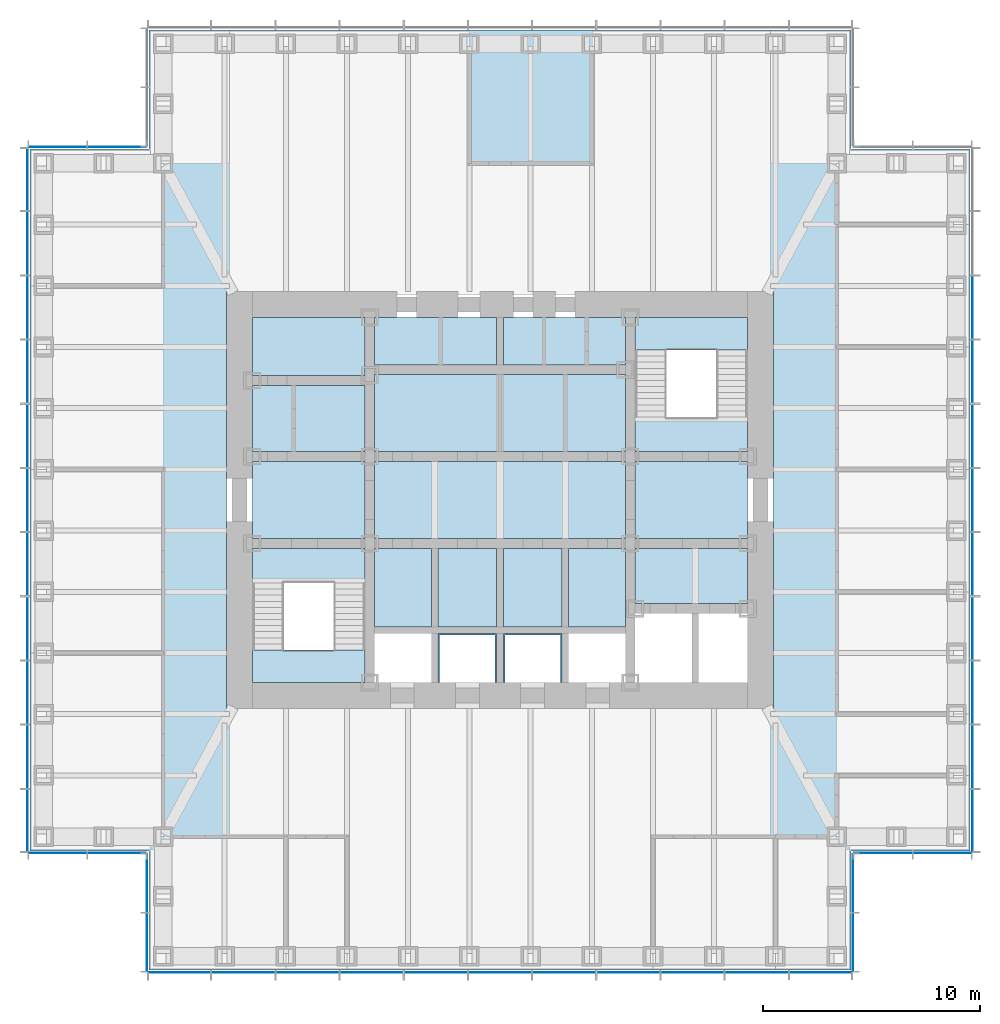
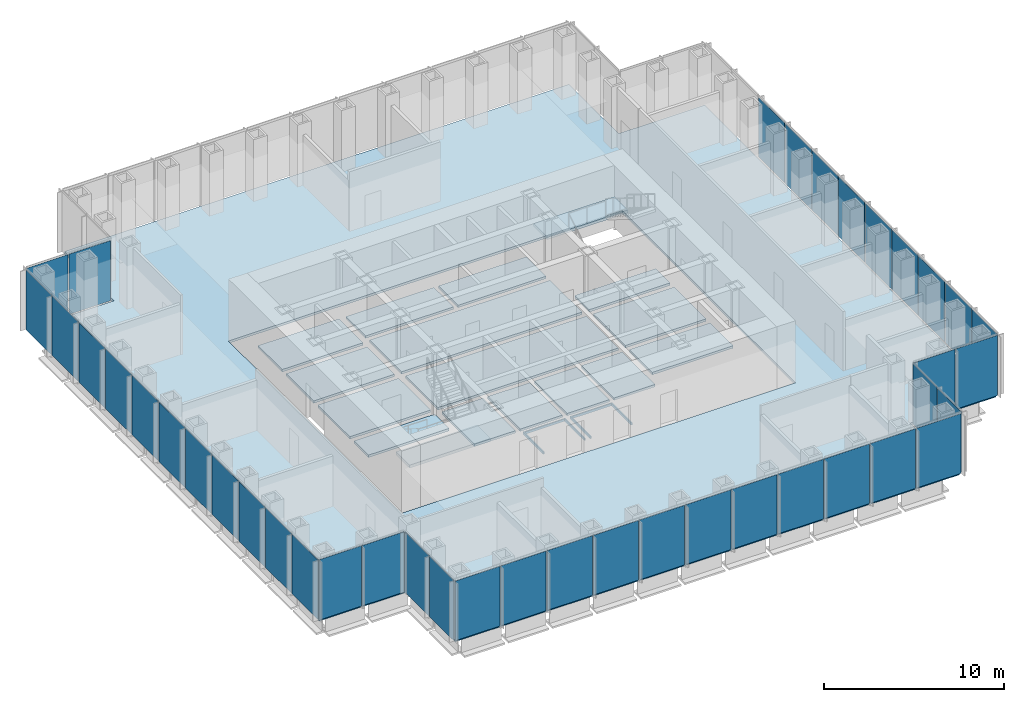
# One storey, part 7 of 16: 41 plates, 20 slabs, 10 elements without a shape of their own.
"""IFC4 building model written with IfcOpenShell, lengths in metres."""

from ifc_helpers import new_model, si_unit, direction, frame, origin, origin_2d, place, context, subcontext, project, spatial, polyline, rectangle, outline, extrude, material, layer, layer_set, type_object, element, aggregate, save


model = new_model("IFC4")

# Units and contexts
model_context = context("Model", 3, precision=1e-05, world=origin(), true_north=direction((0.0, 1.0)))
body_context = subcontext(model_context, "Body", "Model", "MODEL_VIEW")
ifc_project = project(units=[si_unit("LENGTHUNIT", "METRE"), si_unit("AREAUNIT", "SQUARE_METRE"), si_unit("VOLUMEUNIT", "CUBIC_METRE"), si_unit("PLANEANGLEUNIT", "RADIAN"), si_unit("MASSUNIT", "GRAM", prefix="KILO")], contexts=[model_context])

# Site, building, storey
site_placement = place(None, origin())
site = spatial("IfcSite", under=ifc_project, at=site_placement, CompositionType="ELEMENT")
building_placement = place(site_placement, origin())
building = spatial("IfcBuilding", under=site, at=building_placement, Name="Daluyong Arena Tower", CompositionType="ELEMENT")
storey_placement = place(building_placement, frame((0.0, 0.0, 202.300048828125)))
storey = spatial("IfcBuildingStorey", under=building, at=storey_placement, Name="L45", CompositionType="ELEMENT", Elevation=202.300048828125)

# Curtain wall, plates
ifc_material_1 = material(Name="Bronze anodised aluminium and glass", Category="aluminium")
curtain_wall_type_1 = type_object("IfcCurtainWallType", Name="Curtain wall CW3", PredefinedType="USERDEFINED", material=ifc_material_1)
curtain_wall_1_placement = place(storey_placement, origin())
curtain_wall_1 = element("IfcCurtainWall", 1, at=curtain_wall_1_placement, inside=storey, type_object=curtain_wall_type_1, Name="curtain wall L45 S", ObjectType="UNITISED CURTAIN WALL", PredefinedType="USERDEFINED")
ifc_material_2 = material(Name="Tinted double glazed unit", Category="glass")
ifc_layer_1 = layer(ifc_material_2, 0.030029296875)
ifc_layer_set_1 = layer_set([ifc_layer_1], Name="Tinted double glazed unit")
plate_type_1 = type_object("IfcPlateType", Name="CW3 panel 30", PredefinedType="CURTAIN_PANEL", material=ifc_layer_set_1)
plate_1_placement = place(storey_placement, frame((41.244873046875, 58.25, 0.0), z_axis=(0.0, 0.0, 1.0), x_axis=(1.0, 0.0, 0.0)))
plate_1 = element("IfcPlate", 2, at=plate_1_placement, type_object=plate_type_1, Name="curtain wall L45 S panel 1", PredefinedType="CURTAIN_PANEL", context=body_context, shape_type="SweptSolid", body=[
    extrude(rectangle(XDim=2.849609375, YDim=0.030029296875, at=origin_2d()), origin(), (0.0, 0.0, 1.0), 4.0400390625),
])
plate_2_placement = place(storey_placement, frame((44.181884765625, 58.25, 0.0), z_axis=(0.0, 0.0, 1.0), x_axis=(1.0, 0.0, 0.0)))
plate_2 = element("IfcPlate", 3, at=plate_2_placement, type_object=plate_type_1, Name="curtain wall L45 S panel 2", PredefinedType="CURTAIN_PANEL", context=body_context, shape_type="SweptSolid", body=[
    extrude(rectangle(XDim=2.884521484375, YDim=0.030029296875, at=origin_2d()), origin(), (0.0, 0.0, 1.0), 4.0400390625),
])
plate_3_placement = place(storey_placement, frame((47.136474609375, 58.25, 0.0), z_axis=(0.0, 0.0, 1.0), x_axis=(1.0, 0.0, 0.0)))
plate_3 = element("IfcPlate", 4, at=plate_3_placement, type_object=plate_type_1, Name="curtain wall L45 S panel 3", PredefinedType="CURTAIN_PANEL", context=body_context, shape_type="SweptSolid", body=[
    extrude(rectangle(XDim=2.884521484375, YDim=0.030029296875, at=origin_2d()), origin(), (0.0, 0.0, 1.0), 4.0400390625),
])
plate_4_placement = place(storey_placement, frame((50.0908203125, 58.25, 0.0), z_axis=(0.0, 0.0, 1.0), x_axis=(1.0, 0.0, 0.0)))
plate_4 = element("IfcPlate", 5, at=plate_4_placement, type_object=plate_type_1, Name="curtain wall L45 S panel 4", PredefinedType="CURTAIN_PANEL", context=body_context, shape_type="SweptSolid", body=[
    extrude(rectangle(XDim=2.884521484375, YDim=0.030029296875, at=origin_2d()), origin(), (0.0, 0.0, 1.0), 4.0400390625),
])
plate_5_placement = place(storey_placement, frame((53.04541015625, 58.25, 0.0), z_axis=(0.0, 0.0, 1.0), x_axis=(1.0, 0.0, 0.0)))
plate_5 = element("IfcPlate", 6, at=plate_5_placement, type_object=plate_type_1, Name="curtain wall L45 S panel 5", PredefinedType="CURTAIN_PANEL", context=body_context, shape_type="SweptSolid", body=[
    extrude(rectangle(XDim=2.884521484375, YDim=0.030029296875, at=origin_2d()), origin(), (0.0, 0.0, 1.0), 4.0400390625),
])
plate_6_placement = place(storey_placement, frame((56.0, 58.25, 0.0), z_axis=(0.0, 0.0, 1.0), x_axis=(1.0, 0.0, 0.0)))
plate_6 = element("IfcPlate", 7, at=plate_6_placement, type_object=plate_type_1, Name="curtain wall L45 S panel 6", PredefinedType="CURTAIN_PANEL", context=body_context, shape_type="SweptSolid", body=[
    extrude(rectangle(XDim=2.884521484375, YDim=0.030029296875, at=origin_2d()), origin(), (0.0, 0.0, 1.0), 4.0400390625),
])
plate_7_placement = place(storey_placement, frame((58.95458984375, 58.25, 0.0), z_axis=(0.0, 0.0, 1.0), x_axis=(1.0, 0.0, 0.0)))
plate_7 = element("IfcPlate", 8, at=plate_7_placement, type_object=plate_type_1, Name="curtain wall L45 S panel 7", PredefinedType="CURTAIN_PANEL", context=body_context, shape_type="SweptSolid", body=[
    extrude(rectangle(XDim=2.884521484375, YDim=0.030029296875, at=origin_2d()), origin(), (0.0, 0.0, 1.0), 4.0400390625),
])
plate_8_placement = place(storey_placement, frame((61.9091796875, 58.25, 0.0), z_axis=(0.0, 0.0, 1.0), x_axis=(1.0, 0.0, 0.0)))
plate_8 = element("IfcPlate", 9, at=plate_8_placement, type_object=plate_type_1, Name="curtain wall L45 S panel 8", PredefinedType="CURTAIN_PANEL", context=body_context, shape_type="SweptSolid", body=[
    extrude(rectangle(XDim=2.884521484375, YDim=0.030029296875, at=origin_2d()), origin(), (0.0, 0.0, 1.0), 4.0400390625),
])
plate_9_placement = place(storey_placement, frame((64.863525390625, 58.25, 0.0), z_axis=(0.0, 0.0, 1.0), x_axis=(1.0, 0.0, 0.0)))
plate_9 = element("IfcPlate", 10, at=plate_9_placement, type_object=plate_type_1, Name="curtain wall L45 S panel 9", PredefinedType="CURTAIN_PANEL", context=body_context, shape_type="SweptSolid", body=[
    extrude(rectangle(XDim=2.884521484375, YDim=0.030029296875, at=origin_2d()), origin(), (0.0, 0.0, 1.0), 4.0400390625),
])
plate_10_placement = place(storey_placement, frame((67.818115234375, 58.25, 0.0), z_axis=(0.0, 0.0, 1.0), x_axis=(1.0, 0.0, 0.0)))
plate_10 = element("IfcPlate", 11, at=plate_10_placement, type_object=plate_type_1, Name="curtain wall L45 S panel 10", PredefinedType="CURTAIN_PANEL", context=body_context, shape_type="SweptSolid", body=[
    extrude(rectangle(XDim=2.884521484375, YDim=0.030029296875, at=origin_2d()), origin(), (0.0, 0.0, 1.0), 4.0400390625),
])
plate_11_placement = place(storey_placement, frame((70.755126953125, 58.25, 0.0), z_axis=(0.0, 0.0, 1.0), x_axis=(1.0, 0.0, 0.0)))
plate_11 = element("IfcPlate", 12, at=plate_11_placement, type_object=plate_type_1, Name="curtain wall L45 S panel 11", PredefinedType="CURTAIN_PANEL", context=body_context, shape_type="SweptSolid", body=[
    extrude(rectangle(XDim=2.849609375, YDim=0.030029296875, at=origin_2d()), origin(), (0.0, 0.0, 1.0), 4.0400390625),
])
aggregate(curtain_wall_1, [plate_1, plate_2, plate_3, plate_4, plate_5, plate_6, plate_7, plate_8, plate_9, plate_10, plate_11])

curtain_wall_2_placement = place(storey_placement, origin())
curtain_wall_2 = element("IfcCurtainWall", 13, at=curtain_wall_2_placement, inside=storey, type_object=curtain_wall_type_1, Name="curtain wall L45 E", ObjectType="UNITISED CURTAIN WALL", PredefinedType="USERDEFINED")
plate_12_placement = place(storey_placement, frame((77.75, 65.244873046875, 0.0), z_axis=(0.0, 0.0, 1.0), x_axis=(0.0, 1.0, 0.0)))
plate_12 = element("IfcPlate", 14, at=plate_12_placement, type_object=plate_type_1, Name="curtain wall L45 E panel 1", PredefinedType="CURTAIN_PANEL", context=body_context, shape_type="SweptSolid", body=[
    extrude(rectangle(XDim=2.849609375, YDim=0.030029296875, at=origin_2d()), origin(), (0.0, 0.0, 1.0), 4.0400390625),
])
plate_13_placement = place(storey_placement, frame((77.75, 68.181884765625, 0.0), z_axis=(0.0, 0.0, 1.0), x_axis=(0.0, 1.0, 0.0)))
plate_13 = element("IfcPlate", 15, at=plate_13_placement, type_object=plate_type_1, Name="curtain wall L45 E panel 2", PredefinedType="CURTAIN_PANEL", context=body_context, shape_type="SweptSolid", body=[
    extrude(rectangle(XDim=2.884521484375, YDim=0.030029296875, at=origin_2d()), origin(), (0.0, 0.0, 1.0), 4.0400390625),
])
plate_14_placement = place(storey_placement, frame((77.75, 71.136474609375, 0.0), z_axis=(0.0, 0.0, 1.0), x_axis=(0.0, 1.0, 0.0)))
plate_14 = element("IfcPlate", 16, at=plate_14_placement, type_object=plate_type_1, Name="curtain wall L45 E panel 3", PredefinedType="CURTAIN_PANEL", context=body_context, shape_type="SweptSolid", body=[
    extrude(rectangle(XDim=2.884521484375, YDim=0.030029296875, at=origin_2d()), origin(), (0.0, 0.0, 1.0), 4.0400390625),
])
plate_15_placement = place(storey_placement, frame((77.75, 74.0908203125, 0.0), z_axis=(0.0, 0.0, 1.0), x_axis=(0.0, 1.0, 0.0)))
plate_15 = element("IfcPlate", 17, at=plate_15_placement, type_object=plate_type_1, Name="curtain wall L45 E panel 4", PredefinedType="CURTAIN_PANEL", context=body_context, shape_type="SweptSolid", body=[
    extrude(rectangle(XDim=2.884521484375, YDim=0.030029296875, at=origin_2d()), origin(), (0.0, 0.0, 1.0), 4.0400390625),
])
plate_16_placement = place(storey_placement, frame((77.75, 77.04541015625, 0.0), z_axis=(0.0, 0.0, 1.0), x_axis=(0.0, 1.0, 0.0)))
plate_16 = element("IfcPlate", 18, at=plate_16_placement, type_object=plate_type_1, Name="curtain wall L45 E panel 5", PredefinedType="CURTAIN_PANEL", context=body_context, shape_type="SweptSolid", body=[
    extrude(rectangle(XDim=2.884521484375, YDim=0.030029296875, at=origin_2d()), origin(), (0.0, 0.0, 1.0), 4.0400390625),
])
plate_17_placement = place(storey_placement, frame((77.75, 80.0, 0.0), z_axis=(0.0, 0.0, 1.0), x_axis=(0.0, 1.0, 0.0)))
plate_17 = element("IfcPlate", 19, at=plate_17_placement, type_object=plate_type_1, Name="curtain wall L45 E panel 6", PredefinedType="CURTAIN_PANEL", context=body_context, shape_type="SweptSolid", body=[
    extrude(rectangle(XDim=2.884521484375, YDim=0.030029296875, at=origin_2d()), origin(), (0.0, 0.0, 1.0), 4.0400390625),
])
plate_18_placement = place(storey_placement, frame((77.75, 82.95458984375, 0.0), z_axis=(0.0, 0.0, 1.0), x_axis=(0.0, 1.0, 0.0)))
plate_18 = element("IfcPlate", 20, at=plate_18_placement, type_object=plate_type_1, Name="curtain wall L45 E panel 7", PredefinedType="CURTAIN_PANEL", context=body_context, shape_type="SweptSolid", body=[
    extrude(rectangle(XDim=2.884521484375, YDim=0.030029296875, at=origin_2d()), origin(), (0.0, 0.0, 1.0), 4.0400390625),
])
plate_19_placement = place(storey_placement, frame((77.75, 85.9091796875, 0.0), z_axis=(0.0, 0.0, 1.0), x_axis=(0.0, 1.0, 0.0)))
plate_19 = element("IfcPlate", 21, at=plate_19_placement, type_object=plate_type_1, Name="curtain wall L45 E panel 8", PredefinedType="CURTAIN_PANEL", context=body_context, shape_type="SweptSolid", body=[
    extrude(rectangle(XDim=2.884521484375, YDim=0.030029296875, at=origin_2d()), origin(), (0.0, 0.0, 1.0), 4.0400390625),
])
plate_20_placement = place(storey_placement, frame((77.75, 88.863525390625, 0.0), z_axis=(0.0, 0.0, 1.0), x_axis=(0.0, 1.0, 0.0)))
plate_20 = element("IfcPlate", 22, at=plate_20_placement, type_object=plate_type_1, Name="curtain wall L45 E panel 9", PredefinedType="CURTAIN_PANEL", context=body_context, shape_type="SweptSolid", body=[
    extrude(rectangle(XDim=2.884521484375, YDim=0.030029296875, at=origin_2d()), origin(), (0.0, 0.0, 1.0), 4.0400390625),
])
aggregate(curtain_wall_2, [plate_12, plate_13, plate_14, plate_15, plate_16, plate_17, plate_18, plate_19, plate_20])

curtain_wall_3_placement = place(storey_placement, origin())
curtain_wall_3 = element("IfcCurtainWall", 23, at=curtain_wall_3_placement, inside=storey, type_object=curtain_wall_type_1, Name="curtain wall L45 W", ObjectType="UNITISED CURTAIN WALL", PredefinedType="USERDEFINED")
plate_21_placement = place(storey_placement, frame((34.25, 94.755126953125, 0.0), z_axis=(0.0, 0.0, 1.0), x_axis=(0.0, -1.0, 0.0)))
plate_21 = element("IfcPlate", 24, at=plate_21_placement, type_object=plate_type_1, Name="curtain wall L45 W panel 1", PredefinedType="CURTAIN_PANEL", context=body_context, shape_type="SweptSolid", body=[
    extrude(rectangle(XDim=2.849609375, YDim=0.030029296875, at=origin_2d()), origin(), (0.0, 0.0, 1.0), 4.0400390625),
])
plate_22_placement = place(storey_placement, frame((34.25, 91.818115234375, 0.0), z_axis=(0.0, 0.0, 1.0), x_axis=(0.0, -1.0, 0.0)))
plate_22 = element("IfcPlate", 25, at=plate_22_placement, type_object=plate_type_1, Name="curtain wall L45 W panel 2", PredefinedType="CURTAIN_PANEL", context=body_context, shape_type="SweptSolid", body=[
    extrude(rectangle(XDim=2.884521484375, YDim=0.030029296875, at=origin_2d()), origin(), (0.0, 0.0, 1.0), 4.0400390625),
])
plate_23_placement = place(storey_placement, frame((34.25, 88.863525390625, 0.0), z_axis=(0.0, 0.0, 1.0), x_axis=(0.0, -1.0, 0.0)))
plate_23 = element("IfcPlate", 26, at=plate_23_placement, type_object=plate_type_1, Name="curtain wall L45 W panel 3", PredefinedType="CURTAIN_PANEL", context=body_context, shape_type="SweptSolid", body=[
    extrude(rectangle(XDim=2.884521484375, YDim=0.030029296875, at=origin_2d()), origin(), (0.0, 0.0, 1.0), 4.0400390625),
])
plate_24_placement = place(storey_placement, frame((34.25, 85.9091796875, 0.0), z_axis=(0.0, 0.0, 1.0), x_axis=(0.0, -1.0, 0.0)))
plate_24 = element("IfcPlate", 27, at=plate_24_placement, type_object=plate_type_1, Name="curtain wall L45 W panel 4", PredefinedType="CURTAIN_PANEL", context=body_context, shape_type="SweptSolid", body=[
    extrude(rectangle(XDim=2.884521484375, YDim=0.030029296875, at=origin_2d()), origin(), (0.0, 0.0, 1.0), 4.0400390625),
])
plate_25_placement = place(storey_placement, frame((34.25, 82.95458984375, 0.0), z_axis=(0.0, 0.0, 1.0), x_axis=(0.0, -1.0, 0.0)))
plate_25 = element("IfcPlate", 28, at=plate_25_placement, type_object=plate_type_1, Name="curtain wall L45 W panel 5", PredefinedType="CURTAIN_PANEL", context=body_context, shape_type="SweptSolid", body=[
    extrude(rectangle(XDim=2.884521484375, YDim=0.030029296875, at=origin_2d()), origin(), (0.0, 0.0, 1.0), 4.0400390625),
])
plate_26_placement = place(storey_placement, frame((34.25, 80.0, 0.0), z_axis=(0.0, 0.0, 1.0), x_axis=(0.0, -1.0, 0.0)))
plate_26 = element("IfcPlate", 29, at=plate_26_placement, type_object=plate_type_1, Name="curtain wall L45 W panel 6", PredefinedType="CURTAIN_PANEL", context=body_context, shape_type="SweptSolid", body=[
    extrude(rectangle(XDim=2.884521484375, YDim=0.030029296875, at=origin_2d()), origin(), (0.0, 0.0, 1.0), 4.0400390625),
])
plate_27_placement = place(storey_placement, frame((34.25, 77.04541015625, 0.0), z_axis=(0.0, 0.0, 1.0), x_axis=(0.0, -1.0, 0.0)))
plate_27 = element("IfcPlate", 30, at=plate_27_placement, type_object=plate_type_1, Name="curtain wall L45 W panel 7", PredefinedType="CURTAIN_PANEL", context=body_context, shape_type="SweptSolid", body=[
    extrude(rectangle(XDim=2.884521484375, YDim=0.030029296875, at=origin_2d()), origin(), (0.0, 0.0, 1.0), 4.0400390625),
])
plate_28_placement = place(storey_placement, frame((34.25, 74.0908203125, 0.0), z_axis=(0.0, 0.0, 1.0), x_axis=(0.0, -1.0, 0.0)))
plate_28 = element("IfcPlate", 31, at=plate_28_placement, type_object=plate_type_1, Name="curtain wall L45 W panel 8", PredefinedType="CURTAIN_PANEL", context=body_context, shape_type="SweptSolid", body=[
    extrude(rectangle(XDim=2.884521484375, YDim=0.030029296875, at=origin_2d()), origin(), (0.0, 0.0, 1.0), 4.0400390625),
])
plate_29_placement = place(storey_placement, frame((34.25, 71.136474609375, 0.0), z_axis=(0.0, 0.0, 1.0), x_axis=(0.0, -1.0, 0.0)))
plate_29 = element("IfcPlate", 32, at=plate_29_placement, type_object=plate_type_1, Name="curtain wall L45 W panel 9", PredefinedType="CURTAIN_PANEL", context=body_context, shape_type="SweptSolid", body=[
    extrude(rectangle(XDim=2.884521484375, YDim=0.030029296875, at=origin_2d()), origin(), (0.0, 0.0, 1.0), 4.0400390625),
])
plate_30_placement = place(storey_placement, frame((34.25, 68.181884765625, 0.0), z_axis=(0.0, 0.0, 1.0), x_axis=(0.0, -1.0, 0.0)))
plate_30 = element("IfcPlate", 33, at=plate_30_placement, type_object=plate_type_1, Name="curtain wall L45 W panel 10", PredefinedType="CURTAIN_PANEL", context=body_context, shape_type="SweptSolid", body=[
    extrude(rectangle(XDim=2.884521484375, YDim=0.030029296875, at=origin_2d()), origin(), (0.0, 0.0, 1.0), 4.0400390625),
])
plate_31_placement = place(storey_placement, frame((34.25, 65.244873046875, 0.0), z_axis=(0.0, 0.0, 1.0), x_axis=(0.0, -1.0, 0.0)))
plate_31 = element("IfcPlate", 34, at=plate_31_placement, type_object=plate_type_1, Name="curtain wall L45 W panel 11", PredefinedType="CURTAIN_PANEL", context=body_context, shape_type="SweptSolid", body=[
    extrude(rectangle(XDim=2.849609375, YDim=0.030029296875, at=origin_2d()), origin(), (0.0, 0.0, 1.0), 4.0400390625),
])
aggregate(curtain_wall_3, [plate_21, plate_22, plate_23, plate_24, plate_25, plate_26, plate_27, plate_28, plate_29, plate_30, plate_31])

ifc_material_3 = material(Name="Bronze anodised aluminium and glass", Category="aluminium")
curtain_wall_type_2 = type_object("IfcCurtainWallType", Name="Curtain wall CW7", PredefinedType="USERDEFINED", material=ifc_material_3)
curtain_wall_4_placement = place(storey_placement, origin())
curtain_wall_4 = element("IfcCurtainWall", 35, at=curtain_wall_4_placement, inside=storey, type_object=curtain_wall_type_2, Name="curtain wall L45 SE-E", ObjectType="UNITISED CURTAIN WALL", PredefinedType="USERDEFINED")
ifc_material_4 = material(Name="Tinted double glazed unit", Category="glass")
ifc_layer_2 = layer(ifc_material_4, 0.028076171875)
ifc_layer_set_2 = layer_set([ifc_layer_2], Name="Tinted double glazed unit")
plate_type_2 = type_object("IfcPlateType", Name="CW7 panel 28", PredefinedType="CURTAIN_PANEL", material=ifc_layer_set_2)
plate_32_placement = place(storey_placement, frame((72.25, 59.639892578125, 0.0), z_axis=(0.0, 0.0, 1.0), x_axis=(0.0, 1.0, 0.0)))
plate_32 = element("IfcPlate", 36, at=plate_32_placement, type_object=plate_type_2, Name="curtain wall L45 SE-E panel 1", PredefinedType="CURTAIN_PANEL", context=body_context, shape_type="SweptSolid", body=[
    extrude(rectangle(XDim=2.659912109375, YDim=0.028076171875, at=origin_2d()), origin(), (0.0, 0.0, 1.0), 4.080078125),
])
plate_33_placement = place(storey_placement, frame((72.25, 62.360107421875, 0.0), z_axis=(0.0, 0.0, 1.0), x_axis=(0.0, 1.0, 0.0)))
plate_33 = element("IfcPlate", 37, at=plate_33_placement, type_object=plate_type_2, Name="curtain wall L45 SE-E panel 2", PredefinedType="CURTAIN_PANEL", context=body_context, shape_type="SweptSolid", body=[
    extrude(rectangle(XDim=2.659912109375, YDim=0.028076171875, at=origin_2d()), origin(), (0.0, 0.0, 1.0), 4.080078125),
])
aggregate(curtain_wall_4, [plate_32, plate_33])

curtain_wall_5_placement = place(storey_placement, origin())
curtain_wall_5 = element("IfcCurtainWall", 38, at=curtain_wall_5_placement, inside=storey, type_object=curtain_wall_type_2, Name="curtain wall L45 SE-S", ObjectType="UNITISED CURTAIN WALL", PredefinedType="USERDEFINED")
plate_34_placement = place(storey_placement, frame((73.639892578125, 63.75, 0.0), z_axis=(0.0, 0.0, 1.0), x_axis=(1.0, 0.0, 0.0)))
plate_34 = element("IfcPlate", 39, at=plate_34_placement, type_object=plate_type_2, Name="curtain wall L45 SE-S panel 1", PredefinedType="CURTAIN_PANEL", context=body_context, shape_type="SweptSolid", body=[
    extrude(rectangle(XDim=2.659912109375, YDim=0.028076171875, at=origin_2d()), origin(), (0.0, 0.0, 1.0), 4.080078125),
])
plate_35_placement = place(storey_placement, frame((76.360107421875, 63.75, 0.0), z_axis=(0.0, 0.0, 1.0), x_axis=(1.0, 0.0, 0.0)))
plate_35 = element("IfcPlate", 40, at=plate_35_placement, type_object=plate_type_2, Name="curtain wall L45 SE-S panel 2", PredefinedType="CURTAIN_PANEL", context=body_context, shape_type="SweptSolid", body=[
    extrude(rectangle(XDim=2.659912109375, YDim=0.028076171875, at=origin_2d()), origin(), (0.0, 0.0, 1.0), 4.080078125),
])
aggregate(curtain_wall_5, [plate_34, plate_35])

curtain_wall_6_placement = place(storey_placement, origin())
curtain_wall_6 = element("IfcCurtainWall", 41, at=curtain_wall_6_placement, inside=storey, type_object=curtain_wall_type_2, Name="curtain wall L45 NW-N", ObjectType="UNITISED CURTAIN WALL", PredefinedType="USERDEFINED")
plate_36_placement = place(storey_placement, frame((38.360107421875, 96.25, 0.0), z_axis=(0.0, 0.0, 1.0), x_axis=(-1.0, 0.0, 0.0)))
plate_36 = element("IfcPlate", 42, at=plate_36_placement, type_object=plate_type_2, Name="curtain wall L45 NW-N panel 1", PredefinedType="CURTAIN_PANEL", context=body_context, shape_type="SweptSolid", body=[
    extrude(rectangle(XDim=2.659912109375, YDim=0.028076171875, at=origin_2d()), origin(), (0.0, 0.0, 1.0), 4.080078125),
])
plate_37_placement = place(storey_placement, frame((35.639892578125, 96.25, 0.0), z_axis=(0.0, 0.0, 1.0), x_axis=(-1.0, 0.0, 0.0)))
plate_37 = element("IfcPlate", 43, at=plate_37_placement, type_object=plate_type_2, Name="curtain wall L45 NW-N panel 2", PredefinedType="CURTAIN_PANEL", context=body_context, shape_type="SweptSolid", body=[
    extrude(rectangle(XDim=2.659912109375, YDim=0.028076171875, at=origin_2d()), origin(), (0.0, 0.0, 1.0), 4.080078125),
])
aggregate(curtain_wall_6, [plate_36, plate_37])

curtain_wall_7_placement = place(storey_placement, origin())
curtain_wall_7 = element("IfcCurtainWall", 44, at=curtain_wall_7_placement, inside=storey, type_object=curtain_wall_type_2, Name="curtain wall L45 SW-S", ObjectType="UNITISED CURTAIN WALL", PredefinedType="USERDEFINED")
plate_38_placement = place(storey_placement, frame((35.639892578125, 63.75, 0.0), z_axis=(0.0, 0.0, 1.0), x_axis=(1.0, 0.0, 0.0)))
plate_38 = element("IfcPlate", 45, at=plate_38_placement, type_object=plate_type_2, Name="curtain wall L45 SW-S panel 1", PredefinedType="CURTAIN_PANEL", context=body_context, shape_type="SweptSolid", body=[
    extrude(rectangle(XDim=2.659912109375, YDim=0.028076171875, at=origin_2d()), origin(), (0.0, 0.0, 1.0), 4.080078125),
])
plate_39_placement = place(storey_placement, frame((38.360107421875, 63.75, 0.0), z_axis=(0.0, 0.0, 1.0), x_axis=(1.0, 0.0, 0.0)))
plate_39 = element("IfcPlate", 46, at=plate_39_placement, type_object=plate_type_2, Name="curtain wall L45 SW-S panel 2", PredefinedType="CURTAIN_PANEL", context=body_context, shape_type="SweptSolid", body=[
    extrude(rectangle(XDim=2.659912109375, YDim=0.028076171875, at=origin_2d()), origin(), (0.0, 0.0, 1.0), 4.080078125),
])
aggregate(curtain_wall_7, [plate_38, plate_39])

curtain_wall_8_placement = place(storey_placement, origin())
curtain_wall_8 = element("IfcCurtainWall", 47, at=curtain_wall_8_placement, inside=storey, type_object=curtain_wall_type_2, Name="curtain wall L45 SW-W", ObjectType="UNITISED CURTAIN WALL", PredefinedType="USERDEFINED")
plate_40_placement = place(storey_placement, frame((39.75, 62.360107421875, 0.0), z_axis=(0.0, 0.0, 1.0), x_axis=(0.0, -1.0, 0.0)))
plate_40 = element("IfcPlate", 48, at=plate_40_placement, type_object=plate_type_2, Name="curtain wall L45 SW-W panel 1", PredefinedType="CURTAIN_PANEL", context=body_context, shape_type="SweptSolid", body=[
    extrude(rectangle(XDim=2.659912109375, YDim=0.028076171875, at=origin_2d()), origin(), (0.0, 0.0, 1.0), 4.080078125),
])
plate_41_placement = place(storey_placement, frame((39.75, 59.639892578125, 0.0), z_axis=(0.0, 0.0, 1.0), x_axis=(0.0, -1.0, 0.0)))
plate_41 = element("IfcPlate", 49, at=plate_41_placement, type_object=plate_type_2, Name="curtain wall L45 SW-W panel 2", PredefinedType="CURTAIN_PANEL", context=body_context, shape_type="SweptSolid", body=[
    extrude(rectangle(XDim=2.659912109375, YDim=0.028076171875, at=origin_2d()), origin(), (0.0, 0.0, 1.0), 4.080078125),
])
aggregate(curtain_wall_8, [plate_40, plate_41])

# Stair, slab
ifc_material_5 = material(Name="Concrete fc' 35 MPa", Category="concrete")
stair_type = type_object("IfcStairType", Name="Core exit stair", PredefinedType="HALF_TURN_STAIR", material=ifc_material_5)
stair_1_placement = place(storey_placement, origin())
stair_1 = element("IfcStair", 50, at=stair_1_placement, inside=storey, type_object=stair_type, Name="exit stair A L45", PredefinedType="HALF_TURN_STAIR")
ifc_material_6 = material(Name="Concrete fc' 35 MPa", Category="concrete")
ifc_layer_3 = layer(ifc_material_6, 0.199951171875)
ifc_layer_set_3 = layer_set([ifc_layer_3], Name="Concrete fc' 35 MPa")
slab_type_1 = type_object("IfcSlabType", Name="Stair landing 200", PredefinedType="LANDING", material=ifc_layer_set_3)
slab_1_placement = place(storey_placement, frame((0.0, 0.0, 1.89990234375)))
slab_1 = element("IfcSlab", 51, at=slab_1_placement, type_object=slab_type_1, Name="STA landing 1", PredefinedType="LANDING", context=body_context, shape_type="SweptSolid", body=[
    extrude(outline(polyline([(44.60009765625, 71.60009765625), (49.77490234375, 71.60009765625), (49.77490234375, 73.094970703125), (44.60009765625, 73.094970703125), (44.60009765625, 71.60009765625)])), origin(), (0.0, 0.0, 1.0), 0.199951171875),
])
aggregate(stair_1, [slab_1])

stair_2_placement = place(storey_placement, origin())
stair_2 = element("IfcStair", 52, at=stair_2_placement, inside=storey, type_object=stair_type, Name="exit stair B L45", PredefinedType="HALF_TURN_STAIR")
slab_2_placement = place(storey_placement, frame((0.0, 0.0, 1.89990234375)))
slab_2 = element("IfcSlab", 53, at=slab_2_placement, type_object=slab_type_1, Name="STB landing 1", PredefinedType="LANDING", context=body_context, shape_type="SweptSolid", body=[
    extrude(outline(polyline([(62.22509765625, 86.905029296875), (67.39990234375, 86.905029296875), (67.39990234375, 88.39990234375), (62.22509765625, 88.39990234375), (62.22509765625, 86.905029296875)])), origin(), (0.0, 0.0, 1.0), 0.199951171875),
])
aggregate(stair_2, [slab_2])

# Slabs
ifc_material_7 = material(Name="Concrete fc' 35 MPa", Category="concrete")
ifc_layer_4 = layer(ifc_material_7, 0.159912109375)
ifc_layer_set_4 = layer_set([ifc_layer_4], Name="Concrete fc' 35 MPa")
slab_type_2 = type_object("IfcSlabType", Name="Tower floor slab 160", PredefinedType="FLOOR", material=ifc_layer_set_4)
slab_3_placement = place(storey_placement, frame((0.0, 0.0, -0.16015625)))
element("IfcSlab", 54, at=slab_3_placement, inside=storey, type_object=slab_type_2, Name="floor L45 part 1", PredefinedType="FLOOR", context=body_context, shape_type="SweptSolid", body=[
    extrude(outline(polyline([(49.77490234375, 77.77490234375), (44.60009765625, 77.77490234375), (44.60009765625, 76.175048828125), (49.77490234375, 76.175048828125), (49.77490234375, 77.77490234375)])), origin(), (0.0, 0.0, 1.0), 0.16015625),
])
slab_4_placement = place(storey_placement, frame((0.0, 0.0, -0.16015625)))
element("IfcSlab", 55, at=slab_4_placement, inside=storey, type_object=slab_type_2, Name="floor L45 part 2", PredefinedType="FLOOR", context=body_context, shape_type="SweptSolid", body=[
    extrude(outline(polyline([(49.77490234375, 78.22509765625), (49.77490234375, 81.77490234375), (44.60009765625, 81.77490234375), (44.60009765625, 78.22509765625), (49.77490234375, 78.22509765625)])), origin(), (0.0, 0.0, 1.0), 0.16015625),
])
slab_5_placement = place(storey_placement, frame((0.0, 0.0, -0.16015625)))
element("IfcSlab", 56, at=slab_5_placement, inside=storey, type_object=slab_type_2, Name="floor L45 part 3", PredefinedType="FLOOR", context=body_context, shape_type="SweptSolid", body=[
    extrude(outline(polyline([(44.60009765625, 85.27490234375), (44.60009765625, 82.22509765625), (49.77490234375, 82.22509765625), (49.77490234375, 85.27490234375), (44.60009765625, 85.27490234375)])), origin(), (0.0, 0.0, 1.0), 0.16015625),
])
slab_6_placement = place(storey_placement, frame((0.0, 0.0, -0.16015625)))
element("IfcSlab", 57, at=slab_6_placement, inside=storey, type_object=slab_type_2, Name="floor L45 part 4", PredefinedType="FLOOR", context=body_context, shape_type="SweptSolid", body=[
    extrude(outline(polyline([(44.60009765625, 88.39990234375), (44.60009765625, 85.72509765625), (49.77490234375, 85.72509765625), (49.77490234375, 88.39990234375), (44.60009765625, 88.39990234375)])), origin(), (0.0, 0.0, 1.0), 0.16015625),
])
slab_7_placement = place(storey_placement, frame((0.0, 0.0, -0.16015625)))
element("IfcSlab", 58, at=slab_7_placement, inside=storey, type_object=slab_type_2, Name="floor L45 part 5", PredefinedType="FLOOR", context=body_context, shape_type="SweptSolid", body=[
    extrude(outline(polyline([(52.85009765625, 74.14990234375), (52.85009765625, 77.77490234375), (50.22509765625, 77.77490234375), (50.22509765625, 74.14990234375), (52.85009765625, 74.14990234375)])), origin(), (0.0, 0.0, 1.0), 0.16015625),
])
slab_8_placement = place(storey_placement, frame((0.0, 0.0, -0.16015625)))
element("IfcSlab", 59, at=slab_8_placement, inside=storey, type_object=slab_type_2, Name="floor L45 part 6", PredefinedType="FLOOR", context=body_context, shape_type="SweptSolid", body=[
    extrude(outline(polyline([(50.22509765625, 88.39990234375), (50.22509765625, 86.22509765625), (55.85009765625, 86.22509765625), (55.85009765625, 88.39990234375), (50.22509765625, 88.39990234375)])), origin(), (0.0, 0.0, 1.0), 0.16015625),
])
slab_9_placement = place(storey_placement, frame((0.0, 0.0, -0.16015625)))
element("IfcSlab", 60, at=slab_9_placement, inside=storey, type_object=slab_type_2, Name="floor L45 part 7", PredefinedType="FLOOR", context=body_context, shape_type="SweptSolid", body=[
    extrude(outline(polyline([(53.22509765625, 71.60009765625), (53.22509765625, 73.77490234375), (55.77490234375, 73.77490234375), (55.77490234375, 71.60009765625), (55.85009765625, 71.60009765625), (55.85009765625, 73.85009765625), (53.14990234375, 73.85009765625), (53.14990234375, 71.60009765625), (53.22509765625, 71.60009765625)])), origin(), (0.0, 0.0, 1.0), 0.16015625),
])
slab_10_placement = place(storey_placement, frame((0.0, 0.0, -0.16015625)))
element("IfcSlab", 61, at=slab_10_placement, inside=storey, type_object=slab_type_2, Name="floor L45 part 8", PredefinedType="FLOOR", context=body_context, shape_type="SweptSolid", body=[
    extrude(outline(polyline([(53.14990234375, 74.14990234375), (55.85009765625, 74.14990234375), (55.85009765625, 77.77490234375), (53.14990234375, 77.77490234375), (53.14990234375, 74.14990234375)])), origin(), (0.0, 0.0, 1.0), 0.16015625),
])
slab_11_placement = place(storey_placement, frame((0.0, 0.0, -0.16015625)))
element("IfcSlab", 62, at=slab_11_placement, inside=storey, type_object=slab_type_2, Name="floor L45 part 9", PredefinedType="FLOOR", context=body_context, shape_type="SweptSolid", body=[
    extrude(outline(polyline([(39.85009765625, 63.85009765625), (39.85009765625, 58.35009765625), (72.14990234375, 58.35009765625), (72.14990234375, 63.85009765625), (77.64990234375, 63.85009765625), (77.64990234375, 96.14990234375), (72.14990234375, 96.14990234375), (72.14990234375, 101.64990234375), (39.85009765625, 101.64990234375), (39.85009765625, 96.14990234375), (34.35009765625, 96.14990234375), (34.35009765625, 63.85009765625), (39.85009765625, 63.85009765625)]), holes=[polyline([(68.60009765625, 89.60009765625), (68.60009765625, 70.39990234375), (43.39990234375, 70.39990234375), (43.39990234375, 89.60009765625), (68.60009765625, 89.60009765625)])]), origin(), (0.0, 0.0, 1.0), 0.16015625),
])
slab_12_placement = place(storey_placement, frame((0.0, 0.0, -0.16015625)))
element("IfcSlab", 63, at=slab_12_placement, inside=storey, type_object=slab_type_2, Name="floor L45 part 10", PredefinedType="FLOOR", context=body_context, shape_type="SweptSolid", body=[
    extrude(outline(polyline([(50.22509765625, 81.77490234375), (50.22509765625, 78.22509765625), (61.77490234375, 78.22509765625), (61.77490234375, 81.77490234375), (50.22509765625, 81.77490234375)])), origin(), (0.0, 0.0, 1.0), 0.16015625),
])
slab_13_placement = place(storey_placement, frame((0.0, 0.0, -0.16015625)))
element("IfcSlab", 64, at=slab_13_placement, inside=storey, type_object=slab_type_2, Name="floor L45 part 11", PredefinedType="FLOOR", context=body_context, shape_type="SweptSolid", body=[
    extrude(outline(polyline([(50.22509765625, 85.77490234375), (50.22509765625, 82.22509765625), (61.77490234375, 82.22509765625), (61.77490234375, 85.77490234375), (50.22509765625, 85.77490234375)])), origin(), (0.0, 0.0, 1.0), 0.16015625),
])
slab_14_placement = place(storey_placement, frame((0.0, 0.0, -0.16015625)))
element("IfcSlab", 65, at=slab_14_placement, inside=storey, type_object=slab_type_2, Name="floor L45 part 12", PredefinedType="FLOOR", context=body_context, shape_type="SweptSolid", body=[
    extrude(outline(polyline([(56.22509765625, 71.60009765625), (56.22509765625, 73.77490234375), (58.77490234375, 73.77490234375), (58.77490234375, 71.60009765625), (58.85009765625, 71.60009765625), (58.85009765625, 73.85009765625), (56.14990234375, 73.85009765625), (56.14990234375, 71.60009765625), (56.22509765625, 71.60009765625)])), origin(), (0.0, 0.0, 1.0), 0.16015625),
])
slab_15_placement = place(storey_placement, frame((0.0, 0.0, -0.16015625)))
element("IfcSlab", 66, at=slab_15_placement, inside=storey, type_object=slab_type_2, Name="floor L45 part 13", PredefinedType="FLOOR", context=body_context, shape_type="SweptSolid", body=[
    extrude(outline(polyline([(58.85009765625, 77.77490234375), (56.14990234375, 77.77490234375), (56.14990234375, 74.14990234375), (58.85009765625, 74.14990234375), (58.85009765625, 77.77490234375)])), origin(), (0.0, 0.0, 1.0), 0.16015625),
])
slab_16_placement = place(storey_placement, frame((0.0, 0.0, -0.16015625)))
element("IfcSlab", 67, at=slab_16_placement, inside=storey, type_object=slab_type_2, Name="floor L45 part 14", PredefinedType="FLOOR", context=body_context, shape_type="SweptSolid", body=[
    extrude(outline(polyline([(56.14990234375, 88.39990234375), (56.14990234375, 86.22509765625), (61.77490234375, 86.22509765625), (61.77490234375, 88.39990234375), (56.14990234375, 88.39990234375)])), origin(), (0.0, 0.0, 1.0), 0.16015625),
])
slab_17_placement = place(storey_placement, frame((0.0, 0.0, -0.16015625)))
element("IfcSlab", 68, at=slab_17_placement, inside=storey, type_object=slab_type_2, Name="floor L45 part 15", PredefinedType="FLOOR", context=body_context, shape_type="SweptSolid", body=[
    extrude(outline(polyline([(61.77490234375, 77.77490234375), (59.14990234375, 77.77490234375), (59.14990234375, 74.14990234375), (61.77490234375, 74.14990234375), (61.77490234375, 77.77490234375)])), origin(), (0.0, 0.0, 1.0), 0.16015625),
])
slab_18_placement = place(storey_placement, frame((0.0, 0.0, -0.16015625)))
element("IfcSlab", 69, at=slab_18_placement, inside=storey, type_object=slab_type_2, Name="floor L45 part 16", PredefinedType="FLOOR", context=body_context, shape_type="SweptSolid", body=[
    extrude(outline(polyline([(67.39990234375, 75.22509765625), (67.39990234375, 77.77490234375), (62.22509765625, 77.77490234375), (62.22509765625, 75.22509765625), (67.39990234375, 75.22509765625)])), origin(), (0.0, 0.0, 1.0), 0.16015625),
])
slab_19_placement = place(storey_placement, frame((0.0, 0.0, -0.16015625)))
element("IfcSlab", 70, at=slab_19_placement, inside=storey, type_object=slab_type_2, Name="floor L45 part 17", PredefinedType="FLOOR", context=body_context, shape_type="SweptSolid", body=[
    extrude(outline(polyline([(67.39990234375, 78.22509765625), (67.39990234375, 81.77490234375), (62.22509765625, 81.77490234375), (62.22509765625, 78.22509765625), (67.39990234375, 78.22509765625)])), origin(), (0.0, 0.0, 1.0), 0.16015625),
])
slab_20_placement = place(storey_placement, frame((0.0, 0.0, -0.16015625)))
element("IfcSlab", 71, at=slab_20_placement, inside=storey, type_object=slab_type_2, Name="floor L45 part 18", PredefinedType="FLOOR", context=body_context, shape_type="SweptSolid", body=[
    extrude(outline(polyline([(67.39990234375, 83.824951171875), (62.22509765625, 83.824951171875), (62.22509765625, 82.22509765625), (67.39990234375, 82.22509765625), (67.39990234375, 83.824951171875)])), origin(), (0.0, 0.0, 1.0), 0.16015625),
])

save(model, "model.ifc")
